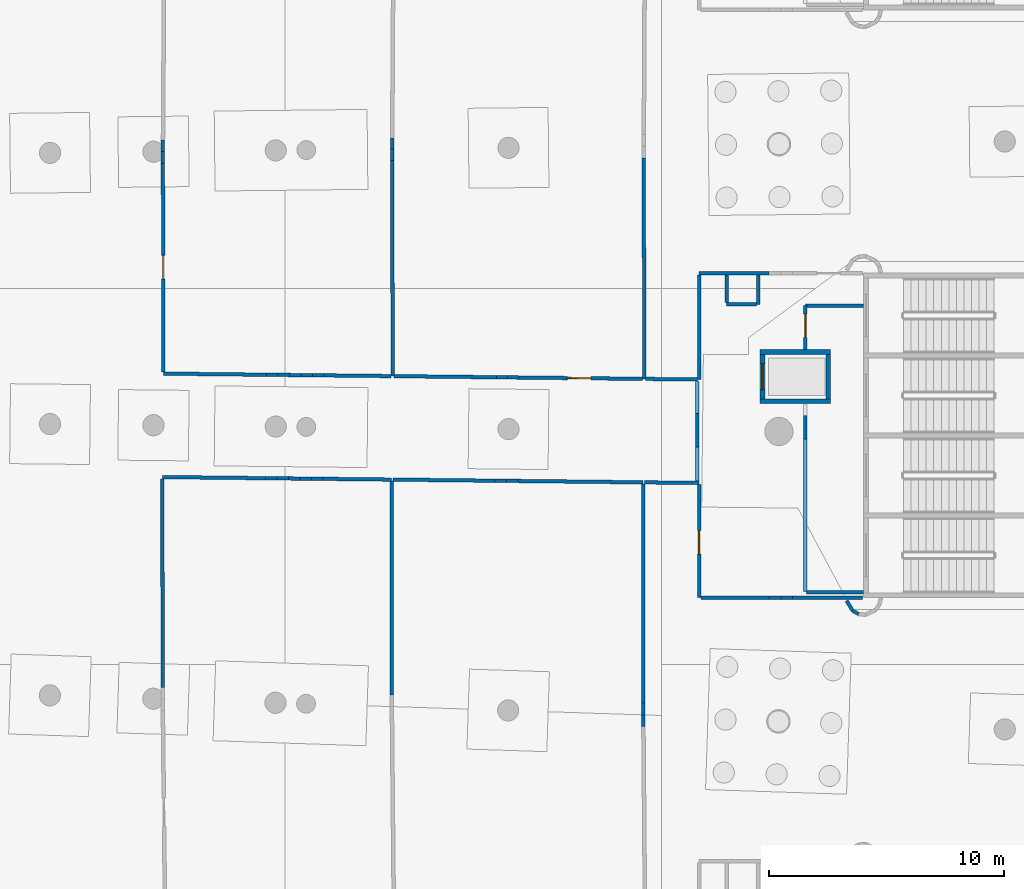
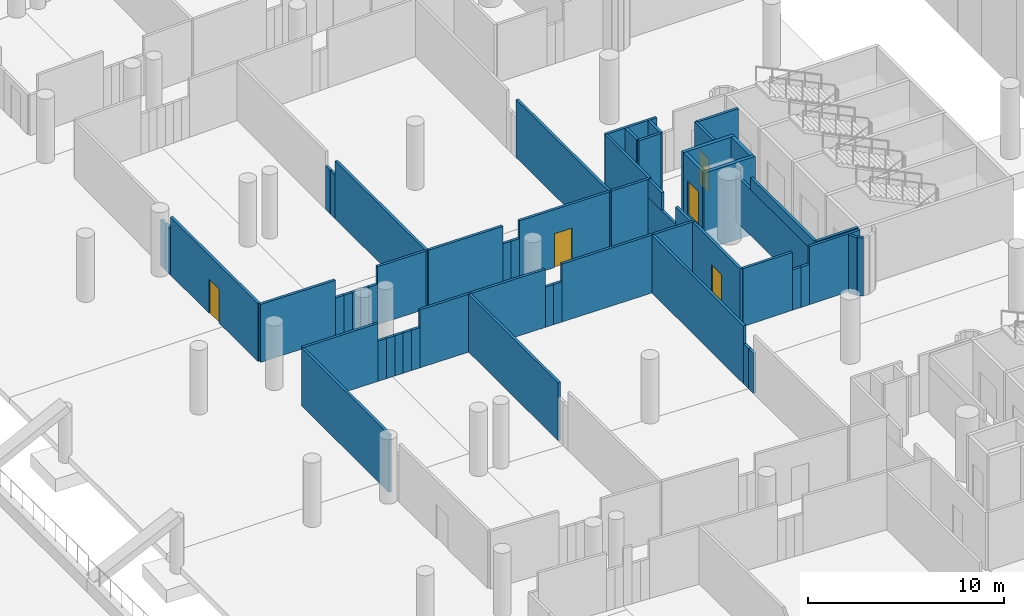
# One storey, part 64 of 142: 60 walls, 5 doors, 5 openings.
"""IFC4 building model written with IfcOpenShell, lengths in metres."""

from ifc_helpers import new_model, si_unit, direction, frame, frame_2d, origin, place, context, subcontext, project, spatial, rectangle, extrude, material, layer, layer_set, type_object, element, fill, save


model = new_model("IFC4")

# Units and contexts
model_context = context("Model", 3, precision=1e-05, world=origin(), true_north=direction((0.0, 1.0)))
body_context = subcontext(model_context, "Body", "Model", "MODEL_VIEW")
ifc_project = project(units=[si_unit("LENGTHUNIT", "METRE"), si_unit("AREAUNIT", "SQUARE_METRE"), si_unit("VOLUMEUNIT", "CUBIC_METRE"), si_unit("PLANEANGLEUNIT", "RADIAN"), si_unit("MASSUNIT", "GRAM", prefix="KILO")], contexts=[model_context])

# Site, building, storey
site_placement = place(None, origin())
site = spatial("IfcSite", under=ifc_project, at=site_placement, CompositionType="ELEMENT")
building_placement = place(site_placement, origin())
building = spatial("IfcBuilding", under=site, at=building_placement, Name="Meseta Stadium", CompositionType="ELEMENT")
storey_placement = place(building_placement, frame((0.0, 0.0, -4.0)))
storey = spatial("IfcBuildingStorey", under=building, at=storey_placement, Name="B1", CompositionType="ELEMENT", Elevation=-4.0)

# Walls
ifc_material_1 = material(Name="Concrete C40/50", Category="concrete")
ifc_layer_1 = layer(ifc_material_1, 0.199951171875)
ifc_layer_set_1 = layer_set([ifc_layer_1], Name="Core shaft wall 200")
wall_type_1 = type_object("IfcWallType", Name="Core shaft wall 200", PredefinedType="SHEAR", material=ifc_layer_set_1)
for number, where, z_axis, x_axis, name in (
    (1, (87.199951171875, -4.800048828125, -1.199951171875), (0.0, 0.0, 1.0), (-1.0, 0.0, 0.0), "Core 03 B1 lift shaft wall left"),
    (2, (87.199951171875, -2.699951171875, -1.199951171875), (0.0, 0.0, 1.0), (-1.0, 0.0, 0.0), "Core 03 B1 lift shaft wall right"),
):
    element("IfcWall", number, at=place(storey_placement, frame(where, z_axis=z_axis, x_axis=x_axis)), inside=storey, type_object=wall_type_1, Name=name, PredefinedType="SHEAR", context=body_context, shape_type="SweptSolid", body=[
        extrude(rectangle(XDim=3.0, YDim=0.199951171875, at=frame_2d((1.5, 0.0))), origin(), (0.0, 0.0, 1.0), 4.800048828125),
    ])
wall_1_placement = place(storey_placement, frame((87.10009765625, -4.699951171875, -1.199951171875), z_axis=(0.0, 0.0, 1.0), x_axis=(0.0, 1.0, 0.0)))
element("IfcWall", 3, at=wall_1_placement, inside=storey, type_object=wall_type_1, Name="Core 03 B1 lift shaft back wall", PredefinedType="SHEAR", context=body_context, shape_type="SweptSolid", body=[
    extrude(rectangle(XDim=1.89990234375, YDim=0.199951171875, at=frame_2d((0.949951171875, 0.0))), origin(), (0.0, 0.0, 1.0), 4.800048828125),
])

# Wall, opening, door
wall_2_placement = place(storey_placement, frame((84.300048828125, -4.699951171875, -1.199951171875), z_axis=(0.0, 0.0, 1.0), x_axis=(0.0, 1.0, 0.0)))
wall_2 = element("IfcWall", 4, at=wall_2_placement, inside=storey, type_object=wall_type_1, Name="Core 03 B1 lift shaft front wall", PredefinedType="SHEAR", context=body_context, shape_type="SweptSolid", body=[
    extrude(rectangle(XDim=1.89990234375, YDim=0.199951171875, at=frame_2d((0.949951171875, 0.0))), origin(), (0.0, 0.0, 1.0), 4.800048828125),
])
opening_1_placement = place(wall_2_placement, frame((0.39990234375, 0.0, 1.199951171875)))
opening_1 = element("IfcOpeningElement", 5, at=opening_1_placement, cuts=wall_2, Name="Opening LD13", PredefinedType="OPENING", context=body_context, shape_type="SweptSolid", body=[
    extrude(rectangle(XDim=1.10009765625, YDim=2.10009765625, at=frame_2d((0.550048828125, 1.050048828125))), frame((0.0, 0.10986328125, 0.0), z_axis=(0.0, -1.0, 0.0), x_axis=(1.0, 0.0, 0.0)), (0.0, 0.0, 1.0), 0.219970703125),
])
ifc_material_2 = material(Name="Steel", Category="steel")
door_type_1 = type_object("IfcDoorType", Name="Lift landing door 1100x2100", OperationType="SLIDING_TO_LEFT", PredefinedType="DOOR", material=ifc_material_2)
door_1_placement = place(opening_1_placement, origin())
door_1 = element("IfcDoor", 6, at=door_1_placement, inside=storey, type_object=door_type_1, Name="Lift landing door LD13", OperationType="SLIDING_TO_LEFT", OverallHeight=2.10009765625, OverallWidth=1.10009765625, PredefinedType="DOOR", context=body_context, shape_type="SweptSolid", body=[
    extrude(rectangle(XDim=1.10009765625, YDim=2.10009765625, at=frame_2d((0.550048828125, 1.050048828125))), frame((0.0, 0.02490234375, 0.0), z_axis=(0.0, -1.0, 0.0), x_axis=(1.0, 0.0, 0.0)), (0.0, 0.0, 1.0), 0.050048828125),
])
fill(opening_1, door_1)

# Walls
ifc_material_3 = material(Name="Masonry blockwork", Category="masonry")
ifc_layer_2 = layer(ifc_material_3, 0.14990234375)
ifc_layer_set_2 = layer_set([ifc_layer_2], Name="Partition 150")
wall_type_2 = type_object("IfcWallType", Name="Partition 150", PredefinedType="PARTITIONING", material=ifc_layer_set_2)
wall_3_placement = place(storey_placement, frame((58.77490234375, -8.02001953125, 0.0), z_axis=(0.0, 0.0, 1.0), x_axis=(0.999939914849, -0.010962056941, 0.0)))
element("IfcWall", 7, at=wall_3_placement, inside=storey, type_object=wall_type_2, Name="Partition B1 B1-cell01-1-0", PredefinedType="PARTITIONING", context=body_context, shape_type="SweptSolid", body=[
    extrude(rectangle(XDim=4.387451171875, YDim=0.14990234375, at=frame_2d((2.19384765625, 0.0))), origin(), (0.0, 0.0, 1.0), 3.60009765625),
])
wall_4_placement = place(storey_placement, frame((63.162109375, -8.068115234375, 0.0), z_axis=(0.0, 0.0, 1.0), x_axis=(0.999939262806, -0.01102137464, 0.0)))
element("IfcWall", 8, at=wall_4_placement, inside=storey, type_object=wall_type_2, Name="Partition B1 B1-cell01-1-0", PredefinedType="PARTITIONING", context=body_context, shape_type="SweptSolid", body=[
    extrude(rectangle(XDim=0.4873046875, YDim=0.14990234375, at=frame_2d((0.24365234375, 0.0))), origin(), (0.0, 0.0, 1.0), 2.5),
])
for number, where, z_axis, x_axis, name in (
    (9, (63.6494140625, -8.073486328125, 0.0), (0.0, 0.0, 1.0), (0.999939323614, -0.011015856344, 0.0), "Partition B1 B1-cell01-1-0"),
    (10, (64.136962890625, -8.078857421875, 0.0), (0.0, 0.0, 1.0), (0.999939323614, -0.011015856344, 0.0), "Partition B1 B1-cell01-1-0"),
):
    element("IfcWall", number, at=place(storey_placement, frame(where, z_axis=z_axis, x_axis=x_axis)), inside=storey, type_object=wall_type_2, Name=name, PredefinedType="PARTITIONING", context=body_context, shape_type="SweptSolid", body=[
        extrude(rectangle(XDim=0.487548828125, YDim=0.14990234375, at=frame_2d((0.24365234375, 0.0))), origin(), (0.0, 0.0, 1.0), 2.5),
    ])
wall_5_placement = place(storey_placement, frame((64.62451171875, -8.084228515625, 0.0), z_axis=(0.0, 0.0, 1.0), x_axis=(0.999939262806, -0.01102137464, 0.0)))
element("IfcWall", 11, at=wall_5_placement, inside=storey, type_object=wall_type_2, Name="Partition B1 B1-cell01-1-0", PredefinedType="PARTITIONING", context=body_context, shape_type="SweptSolid", body=[
    extrude(rectangle(XDim=0.4873046875, YDim=0.14990234375, at=frame_2d((0.24365234375, 0.0))), origin(), (0.0, 0.0, 1.0), 2.5),
])
wall_6_placement = place(storey_placement, frame((65.11181640625, -8.089599609375, 0.0), z_axis=(0.0, 0.0, 1.0), x_axis=(0.999939323614, -0.011015856344, 0.0)))
element("IfcWall", 12, at=wall_6_placement, inside=storey, type_object=wall_type_2, Name="Partition B1 B1-cell01-1-0", PredefinedType="PARTITIONING", context=body_context, shape_type="SweptSolid", body=[
    extrude(rectangle(XDim=0.487548828125, YDim=0.14990234375, at=frame_2d((0.24365234375, 0.0))), origin(), (0.0, 0.0, 1.0), 2.5),
])
wall_7_placement = place(storey_placement, frame((65.599365234375, -8.094970703125, 0.0), z_axis=(0.0, 0.0, 1.0), x_axis=(0.999940219435, -0.010934237792, 0.0)))
element("IfcWall", 13, at=wall_7_placement, inside=storey, type_object=wall_type_2, Name="Partition B1 B1-cell01-1-0", PredefinedType="PARTITIONING", context=body_context, shape_type="SweptSolid", body=[
    extrude(rectangle(XDim=2.925048828125, YDim=0.14990234375, at=frame_2d((1.46240234375, 0.0))), origin(), (0.0, 0.0, 1.0), 3.60009765625),
])
wall_8_placement = place(storey_placement, frame((68.5244140625, -8.201904296875, 0.0), z_axis=(0.0, 0.0, 1.0), x_axis=(0.001127273963, -0.999999364627, 0.0)))
element("IfcWall", 14, at=wall_8_placement, inside=storey, type_object=wall_type_2, Name="Partition B1 B1-cell01-1-0", PredefinedType="PARTITIONING", context=body_context, shape_type="SweptSolid", body=[
    extrude(rectangle(XDim=9.09619140625, YDim=0.14990234375, at=frame_2d((4.548095703125, 0.0))), origin(), (0.0, 0.0, 1.0), 3.60009765625),
])
wall_9_placement = place(storey_placement, frame((58.78955078125, -16.96337890625, 0.0), z_axis=(0.0, 0.0, 1.0), x_axis=(-0.001651752736, 0.999998635856, 0.0)))
element("IfcWall", 15, at=wall_9_placement, inside=storey, type_object=wall_type_2, Name="Partition B1 B1-cell01-1-0", PredefinedType="PARTITIONING", context=body_context, shape_type="SweptSolid", body=[
    extrude(rectangle(XDim=8.868408203125, YDim=0.14990234375, at=frame_2d((4.43408203125, 0.0))), origin(), (0.0, 0.0, 1.0), 3.60009765625),
])
wall_10_placement = place(storey_placement, frame((68.57421875, -8.12744140625, 0.0), z_axis=(0.0, 0.0, 1.0), x_axis=(0.999939687164, -0.010982806315, 0.0)))
element("IfcWall", 16, at=wall_10_placement, inside=storey, type_object=wall_type_2, Name="Partition B1 B1-cell01-2-0", PredefinedType="PARTITIONING", context=body_context, shape_type="SweptSolid", body=[
    extrude(rectangle(XDim=4.35693359375, YDim=0.14990234375, at=frame_2d((2.178466796875, 0.0))), origin(), (0.0, 0.0, 1.0), 3.60009765625),
])
wall_11_placement = place(storey_placement, frame((72.930908203125, -8.17529296875, 0.0), z_axis=(0.0, 0.0, 1.0), x_axis=(0.999938401812, -0.011099215358, 0.0)))
element("IfcWall", 17, at=wall_11_placement, inside=storey, type_object=wall_type_2, Name="Partition B1 B1-cell01-2-0", PredefinedType="PARTITIONING", context=body_context, shape_type="SweptSolid", body=[
    extrude(rectangle(XDim=0.48388671875, YDim=0.14990234375, at=frame_2d((0.241943359375, 0.0))), origin(), (0.0, 0.0, 1.0), 2.5),
])
wall_12_placement = place(storey_placement, frame((73.414794921875, -8.1806640625, 0.0), z_axis=(0.0, 0.0, 1.0), x_axis=(0.999943930506, -0.010589421352, 0.0)))
element("IfcWall", 18, at=wall_12_placement, inside=storey, type_object=wall_type_2, Name="Partition B1 B1-cell01-2-0", PredefinedType="PARTITIONING", context=body_context, shape_type="SweptSolid", body=[
    extrude(rectangle(XDim=0.484130859375, YDim=0.14990234375, at=frame_2d((0.2421875, 0.0))), origin(), (0.0, 0.0, 1.0), 2.5),
])
wall_13_placement = place(storey_placement, frame((73.89892578125, -8.185791015625, 0.0), z_axis=(0.0, 0.0, 1.0), x_axis=(0.999939460098, -0.011003460359, 0.0)))
element("IfcWall", 19, at=wall_13_placement, inside=storey, type_object=wall_type_2, Name="Partition B1 B1-cell01-2-0", PredefinedType="PARTITIONING", context=body_context, shape_type="SweptSolid", body=[
    extrude(rectangle(XDim=5.324951171875, YDim=0.14990234375, at=frame_2d((2.66259765625, 0.0))), origin(), (0.0, 0.0, 1.0), 3.60009765625),
])
wall_14_placement = place(storey_placement, frame((79.2236328125, -8.3193359375, 0.0), z_axis=(0.0, 0.0, 1.0), x_axis=(0.00057636878, -0.9999998339, 0.0)))
element("IfcWall", 20, at=wall_14_placement, inside=storey, type_object=wall_type_2, Name="Partition B1 B1-cell01-2-0", PredefinedType="PARTITIONING", context=body_context, shape_type="SweptSolid", body=[
    extrude(rectangle(XDim=9.31884765625, YDim=0.14990234375, at=frame_2d((4.659423828125, 0.0))), origin(), (0.0, 0.0, 1.0), 3.60009765625),
])
for number, where, z_axis, x_axis, name in (
    (21, (79.22900390625, -17.63818359375, 0.0), (0.0, 0.0, 1.0), (0.0004938271, -0.999999878067, 0.0), "Partition B1 B1-cell01-2-0"),
    (22, (79.229248046875, -18.132568359375, 0.0), (0.0, 0.0, 1.0), (0.008394765914, -0.999964763332, 0.0), "Partition B1 B1-cell01-2-0"),
):
    element("IfcWall", number, at=place(storey_placement, frame(where, z_axis=z_axis, x_axis=x_axis)), inside=storey, type_object=wall_type_2, Name=name, PredefinedType="PARTITIONING", context=body_context, shape_type="SweptSolid", body=[
        extrude(rectangle(XDim=0.494384765625, YDim=0.14990234375, at=frame_2d((0.2470703125, 0.0))), origin(), (0.0, 0.0, 1.0), 2.5),
    ])
wall_15_placement = place(storey_placement, frame((79.273681640625, -8.244873046875, 0.0), z_axis=(0.0, 0.0, 1.0), x_axis=(0.999940447056, -0.010913401878, 0.0)))
element("IfcWall", 23, at=wall_15_placement, inside=storey, type_object=wall_type_2, Name="Partition B1 B1-cell01-3-0", PredefinedType="PARTITIONING", context=body_context, shape_type="SweptSolid", body=[
    extrude(rectangle(XDim=2.32666015625, YDim=0.14990234375, at=frame_2d((1.163330078125, 0.0))), origin(), (0.0, 0.0, 1.0), 3.60009765625),
])

# Wall, opening, door
wall_16_placement = place(storey_placement, frame((81.60009765625, -8.34521484375, 0.0), z_axis=(0.0, 0.0, 1.0), x_axis=(0.0, -1.0, 0.0)))
wall_16 = element("IfcWall", 24, at=wall_16_placement, inside=storey, type_object=wall_type_2, Name="Partition B1 B1-cell01-3-0", PredefinedType="PARTITIONING", context=body_context, shape_type="SweptSolid", body=[
    extrude(rectangle(XDim=4.8046875, YDim=0.14990234375, at=frame_2d((2.40234375, 0.0))), origin(), (0.0, 0.0, 1.0), 3.60009765625),
])
opening_2_placement = place(wall_16_placement, frame((1.949951171875, 0.0, 0.0)))
opening_2 = element("IfcOpeningElement", 25, at=opening_2_placement, cuts=wall_16, Name="Opening D438", PredefinedType="OPENING", context=body_context, shape_type="SweptSolid", body=[
    extrude(rectangle(XDim=1.0, YDim=2.10009765625, at=frame_2d((0.5, 1.050048828125))), frame((0.0, 0.0849609375, 0.0), z_axis=(0.0, -1.0, 0.0), x_axis=(1.0, 0.0, 0.0)), (0.0, 0.0, 1.0), 0.169921875),
])
ifc_material_4 = material(Name="Steel", Category="steel")
door_type_2 = type_object("IfcDoorType", Name="Fire door 1000x2100 EI2 60", OperationType="NOTDEFINED", PredefinedType="DOOR", material=ifc_material_4)
door_2_placement = place(opening_2_placement, origin())
door_2 = element("IfcDoor", 26, at=door_2_placement, inside=storey, type_object=door_type_2, Name="Door D438", OperationType="SINGLE_SWING_LEFT", OverallHeight=2.10009765625, OverallWidth=1.0, PredefinedType="DOOR", context=body_context, shape_type="SweptSolid", body=[
    extrude(rectangle(XDim=1.0, YDim=2.10009765625, at=frame_2d((0.5, 1.050048828125))), frame((0.0, 0.02490234375, 0.0), z_axis=(0.0, -1.0, 0.0), x_axis=(1.0, 0.0, 0.0)), (0.0, 0.0, 1.0), 0.050048828125),
])
fill(opening_2, door_2)

# Walls
wall_17_placement = place(storey_placement, frame((81.675048828125, -13.14990234375, 0.0), z_axis=(0.0, 0.0, 1.0), x_axis=(1.0, 0.0, 0.0)))
element("IfcWall", 27, at=wall_17_placement, inside=storey, type_object=wall_type_2, Name="Partition B1 B1-cell01-3-0", PredefinedType="PARTITIONING", context=body_context, shape_type="SweptSolid", body=[
    extrude(rectangle(XDim=2.907958984375, YDim=0.14990234375, at=frame_2d((1.4541015625, 0.0))), origin(), (0.0, 0.0, 1.0), 3.60009765625),
])
for number, where, z_axis, x_axis, name in (
    (28, (84.5830078125, -13.14990234375, 0.0), (0.0, 0.0, 1.0), (1.0, 0.0, 0.0), "Partition B1 B1-cell01-3-0"),
    (29, (85.080078125, -13.14990234375, 0.0), (0.0, 0.0, 1.0), (1.0, 0.0, 0.0), "Partition B1 B1-cell01-3-0"),
):
    element("IfcWall", number, at=place(storey_placement, frame(where, z_axis=z_axis, x_axis=x_axis)), inside=storey, type_object=wall_type_2, Name=name, PredefinedType="PARTITIONING", context=body_context, shape_type="SweptSolid", body=[
        extrude(rectangle(XDim=0.4970703125, YDim=0.14990234375, at=frame_2d((0.24853515625, 0.0))), origin(), (0.0, 0.0, 1.0), 2.5),
    ])
wall_18_placement = place(storey_placement, frame((85.5771484375, -13.14990234375, 0.0), z_axis=(0.0, 0.0, 1.0), x_axis=(1.0, 0.0, 0.0)))
element("IfcWall", 30, at=wall_18_placement, inside=storey, type_object=wall_type_2, Name="Partition B1 B1-cell01-3-0", PredefinedType="PARTITIONING", context=body_context, shape_type="SweptSolid", body=[
    extrude(rectangle(XDim=2.98291015625, YDim=0.14990234375, at=frame_2d((1.491455078125, 0.0))), origin(), (0.0, 0.0, 1.0), 3.60009765625),
])
wall_19_placement = place(storey_placement, frame((68.55126953125, 6.409912109375, 0.0), z_axis=(0.0, 0.0, 1.0), x_axis=(-0.006066622434, -0.999981597877, 0.0)))
element("IfcWall", 31, at=wall_19_placement, inside=storey, type_object=wall_type_2, Name="Partition B1 B1-cell02-1-0", PredefinedType="PARTITIONING", context=body_context, shape_type="SweptSolid", body=[
    extrude(rectangle(XDim=0.48291015625, YDim=0.14990234375, at=frame_2d((0.241455078125, 0.0))), origin(), (0.0, 0.0, 1.0), 2.699951171875),
])
wall_20_placement = place(storey_placement, frame((68.54833984375, 5.927001953125, 0.0), z_axis=(0.0, 0.0, 1.0), x_axis=(0.002529076383, -0.999996801881, 0.0)))
element("IfcWall", 32, at=wall_20_placement, inside=storey, type_object=wall_type_2, Name="Partition B1 B1-cell02-1-0", PredefinedType="PARTITIONING", context=body_context, shape_type="SweptSolid", body=[
    extrude(rectangle(XDim=0.482666015625, YDim=0.14990234375, at=frame_2d((0.2412109375, 0.0))), origin(), (0.0, 0.0, 1.0), 2.699951171875),
])
wall_21_placement = place(storey_placement, frame((68.549560546875, 5.4443359375, 0.0), z_axis=(0.0, 0.0, 1.0), x_axis=(0.002502188243, -0.999996869522, 0.0)))
element("IfcWall", 33, at=wall_21_placement, inside=storey, type_object=wall_type_2, Name="Partition B1 B1-cell02-1-0", PredefinedType="PARTITIONING", context=body_context, shape_type="SweptSolid", body=[
    extrude(rectangle(XDim=9.171630859375, YDim=0.14990234375, at=frame_2d((4.5859375, 0.0))), origin(), (0.0, 0.0, 1.0), 3.60009765625),
])
wall_22_placement = place(storey_placement, frame((68.49755859375, -3.726318359375, 0.0), z_axis=(0.0, 0.0, 1.0), x_axis=(-0.999939884591, 0.01096481669, 0.0)))
element("IfcWall", 34, at=wall_22_placement, inside=storey, type_object=wall_type_2, Name="Partition B1 B1-cell02-1-0", PredefinedType="PARTITIONING", context=body_context, shape_type="SweptSolid", body=[
    extrude(rectangle(XDim=2.85009765625, YDim=0.14990234375, at=frame_2d((1.425048828125, 0.0))), origin(), (0.0, 0.0, 1.0), 3.60009765625),
])
for number, where, z_axis, x_axis, name in (
    (35, (65.647705078125, -3.695068359375, 0.0), (0.0, 0.0, 1.0), (-0.999939323614, 0.011015856344, 0.0), "Partition B1 B1-cell02-1-0"),
    (36, (65.16015625, -3.689697265625, 0.0), (0.0, 0.0, 1.0), (-0.999939323614, 0.011015856344, 0.0), "Partition B1 B1-cell02-1-0"),
):
    element("IfcWall", number, at=place(storey_placement, frame(where, z_axis=z_axis, x_axis=x_axis)), inside=storey, type_object=wall_type_2, Name=name, PredefinedType="PARTITIONING", context=body_context, shape_type="SweptSolid", body=[
        extrude(rectangle(XDim=0.487548828125, YDim=0.14990234375, at=frame_2d((0.24365234375, 0.0))), origin(), (0.0, 0.0, 1.0), 2.5),
    ])
wall_23_placement = place(storey_placement, frame((64.672607421875, -3.684326171875, 0.0), z_axis=(0.0, 0.0, 1.0), x_axis=(-0.999944658431, 0.010520459833, 0.0)))
element("IfcWall", 37, at=wall_23_placement, inside=storey, type_object=wall_type_2, Name="Partition B1 B1-cell02-1-0", PredefinedType="PARTITIONING", context=body_context, shape_type="SweptSolid", body=[
    extrude(rectangle(XDim=0.4873046875, YDim=0.14990234375, at=frame_2d((0.24365234375, 0.0))), origin(), (0.0, 0.0, 1.0), 2.5),
])
for number, where, z_axis, x_axis, name in (
    (38, (64.185302734375, -3.67919921875, 0.0), (0.0, 0.0, 1.0), (-0.999933682775, 0.01151651212, 0.0), "Partition B1 B1-cell02-1-0"),
    (39, (63.69775390625, -3.673583984375, 0.0), (0.0, 0.0, 1.0), (-0.999944713837, 0.010515192284, 0.0), "Partition B1 B1-cell02-1-0"),
):
    element("IfcWall", number, at=place(storey_placement, frame(where, z_axis=z_axis, x_axis=x_axis)), inside=storey, type_object=wall_type_2, Name=name, PredefinedType="PARTITIONING", context=body_context, shape_type="SweptSolid", body=[
        extrude(rectangle(XDim=0.487548828125, YDim=0.14990234375, at=frame_2d((0.24365234375, 0.0))), origin(), (0.0, 0.0, 1.0), 2.5),
    ])
wall_24_placement = place(storey_placement, frame((63.210205078125, -3.66845703125, 0.0), z_axis=(0.0, 0.0, 1.0), x_axis=(-0.999939914849, 0.010962056941, 0.0)))
element("IfcWall", 40, at=wall_24_placement, inside=storey, type_object=wall_type_2, Name="Partition B1 B1-cell02-1-0", PredefinedType="PARTITIONING", context=body_context, shape_type="SweptSolid", body=[
    extrude(rectangle(XDim=4.387451171875, YDim=0.14990234375, at=frame_2d((2.19384765625, 0.0))), origin(), (0.0, 0.0, 1.0), 3.60009765625),
])

# Wall, opening, door
wall_25_placement = place(storey_placement, frame((58.822998046875, -3.54541015625, 0.0), z_axis=(0.0, 0.0, 1.0), x_axis=(-0.002560141365, 0.999996722833, 0.0)))
wall_25 = element("IfcWall", 41, at=wall_25_placement, inside=storey, type_object=wall_type_2, Name="Partition B1 B1-cell02-1-0", PredefinedType="PARTITIONING", context=body_context, shape_type="SweptSolid", body=[
    extrude(rectangle(XDim=8.86865234375, YDim=0.14990234375, at=frame_2d((4.434326171875, 0.0))), origin(), (0.0, 0.0, 1.0), 3.60009765625),
])
opening_3_placement = place(wall_25_placement, frame((3.949951171875, 0.0, 0.0)))
opening_3 = element("IfcOpeningElement", 42, at=opening_3_placement, cuts=wall_25, Name="Opening D439", PredefinedType="OPENING", context=body_context, shape_type="SweptSolid", body=[
    extrude(rectangle(XDim=1.0, YDim=2.10009765625, at=frame_2d((0.5, 1.050048828125))), frame((0.0, 0.0849609375, 0.0), z_axis=(0.0, -1.0, 0.0), x_axis=(1.0, 0.0, 0.0)), (0.0, 0.0, 1.0), 0.169921875),
])
door_3_placement = place(opening_3_placement, origin())
door_3 = element("IfcDoor", 43, at=door_3_placement, inside=storey, type_object=door_type_2, Name="Door D439", OperationType="SINGLE_SWING_LEFT", OverallHeight=2.10009765625, OverallWidth=1.0, PredefinedType="DOOR", context=body_context, shape_type="SweptSolid", body=[
    extrude(rectangle(XDim=1.0, YDim=2.10009765625, at=frame_2d((0.5, 1.050048828125))), frame((0.0, 0.02490234375, 0.0), z_axis=(0.0, -1.0, 0.0), x_axis=(1.0, 0.0, 0.0)), (0.0, 0.0, 1.0), 0.050048828125),
])
fill(opening_3, door_3)

# Walls
wall_26_placement = place(storey_placement, frame((58.80029296875, 5.3232421875, 0.0), z_axis=(0.0, 0.0, 1.0), x_axis=(-0.002946942017, 0.999995657757, 0.0)))
element("IfcWall", 44, at=wall_26_placement, inside=storey, type_object=wall_type_2, Name="Partition B1 B1-cell02-1-0", PredefinedType="PARTITIONING", context=body_context, shape_type="SweptSolid", body=[
    extrude(rectangle(XDim=0.4970703125, YDim=0.14990234375, at=frame_2d((0.24853515625, 0.0))), origin(), (0.0, 0.0, 1.0), 2.85009765625),
])
wall_27_placement = place(storey_placement, frame((58.798828125, 5.8203125, 0.0), z_axis=(0.0, 0.0, 1.0), x_axis=(0.006879444083, 0.999976336345, 0.0)))
element("IfcWall", 45, at=wall_27_placement, inside=storey, type_object=wall_type_2, Name="Partition B1 B1-cell02-1-0", PredefinedType="PARTITIONING", context=body_context, shape_type="SweptSolid", body=[
    extrude(rectangle(XDim=0.496826171875, YDim=0.14990234375, at=frame_2d((0.24853515625, 0.0))), origin(), (0.0, 0.0, 1.0), 2.85009765625),
])
wall_28_placement = place(storey_placement, frame((79.248779296875, 5.5498046875, 0.0), z_axis=(0.0, 0.0, 1.0), x_axis=(0.002442883638, -0.999997016155, 0.0)))
element("IfcWall", 46, at=wall_28_placement, inside=storey, type_object=wall_type_2, Name="Partition B1 B1-cell02-2-0", PredefinedType="PARTITIONING", context=body_context, shape_type="SweptSolid", body=[
    extrude(rectangle(XDim=9.394287109375, YDim=0.14990234375, at=frame_2d((4.697265625, 0.0))), origin(), (0.0, 0.0, 1.0), 3.60009765625),
])

# Wall, opening, door
wall_29_placement = place(storey_placement, frame((79.19677734375, -3.84375, 0.0), z_axis=(0.0, 0.0, 1.0), x_axis=(-0.999939777793, 0.010974551809, 0.0)))
wall_29 = element("IfcWall", 47, at=wall_29_placement, inside=storey, type_object=wall_type_2, Name="Partition B1 B1-cell02-2-0", PredefinedType="PARTITIONING", context=body_context, shape_type="SweptSolid", body=[
    extrude(rectangle(XDim=5.25, YDim=0.14990234375, at=frame_2d((2.625, 0.0))), origin(), (0.0, 0.0, 1.0), 3.60009765625),
])
opening_4_placement = place(wall_29_placement, frame((2.199951171875, 0.0, 0.0)))
opening_4 = element("IfcOpeningElement", 48, at=opening_4_placement, cuts=wall_29, Name="Opening D440", PredefinedType="OPENING", context=body_context, shape_type="SweptSolid", body=[
    extrude(rectangle(XDim=1.0, YDim=2.10009765625, at=frame_2d((0.5, 1.050048828125))), frame((0.0, 0.0849609375, 0.0), z_axis=(0.0, -1.0, 0.0), x_axis=(1.0, 0.0, 0.0)), (0.0, 0.0, 1.0), 0.169921875),
])
ifc_material_5 = material(Name="Steel", Category="steel")
door_type_3 = type_object("IfcDoorType", Name="Fire door 1000x2100 EI2 120", OperationType="NOTDEFINED", PredefinedType="DOOR", material=ifc_material_5)
door_4_placement = place(opening_4_placement, origin())
door_4 = element("IfcDoor", 49, at=door_4_placement, inside=storey, type_object=door_type_3, Name="Door D440", OperationType="SINGLE_SWING_RIGHT", OverallHeight=2.10009765625, OverallWidth=1.0, PredefinedType="DOOR", context=body_context, shape_type="SweptSolid", body=[
    extrude(rectangle(XDim=1.0, YDim=2.10009765625, at=frame_2d((0.5, 1.050048828125))), frame((0.0, 0.02490234375, 0.0), z_axis=(0.0, -1.0, 0.0), x_axis=(1.0, 0.0, 0.0)), (0.0, 0.0, 1.0), 0.050048828125),
])
fill(opening_4, door_4)

# Walls
wall_30_placement = place(storey_placement, frame((73.947021484375, -3.7861328125, 0.0), z_axis=(0.0, 0.0, 1.0), x_axis=(-0.999938401812, 0.011099215358, 0.0)))
element("IfcWall", 50, at=wall_30_placement, inside=storey, type_object=wall_type_2, Name="Partition B1 B1-cell02-2-0", PredefinedType="PARTITIONING", context=body_context, shape_type="SweptSolid", body=[
    extrude(rectangle(XDim=0.48388671875, YDim=0.14990234375, at=frame_2d((0.241943359375, 0.0))), origin(), (0.0, 0.0, 1.0), 2.5),
])
wall_31_placement = place(storey_placement, frame((73.463134765625, -3.78076171875, 0.0), z_axis=(0.0, 0.0, 1.0), x_axis=(-0.999938463917, 0.011093618863, 0.0)))
element("IfcWall", 51, at=wall_31_placement, inside=storey, type_object=wall_type_2, Name="Partition B1 B1-cell02-2-0", PredefinedType="PARTITIONING", context=body_context, shape_type="SweptSolid", body=[
    extrude(rectangle(XDim=0.484130859375, YDim=0.14990234375, at=frame_2d((0.2421875, 0.0))), origin(), (0.0, 0.0, 1.0), 2.5),
])
wall_32_placement = place(storey_placement, frame((72.97900390625, -3.775390625, 0.0), z_axis=(0.0, 0.0, 1.0), x_axis=(-0.999940300976, 0.010926778296, 0.0)))
element("IfcWall", 52, at=wall_32_placement, inside=storey, type_object=wall_type_2, Name="Partition B1 B1-cell02-2-0", PredefinedType="PARTITIONING", context=body_context, shape_type="SweptSolid", body=[
    extrude(rectangle(XDim=4.35693359375, YDim=0.14990234375, at=frame_2d((2.178466796875, 0.0))), origin(), (0.0, 0.0, 1.0), 3.60009765625),
])
wall_33_placement = place(storey_placement, frame((84.5830078125, 0.64990234375, 0.0), z_axis=(0.0, 0.0, 1.0), x_axis=(-1.0, 0.0, 0.0)))
element("IfcWall", 53, at=wall_33_placement, inside=storey, type_object=wall_type_2, Name="Partition B1 B1-cell02-3-0", PredefinedType="PARTITIONING", context=body_context, shape_type="SweptSolid", body=[
    extrude(rectangle(XDim=2.98291015625, YDim=0.14990234375, at=frame_2d((1.491455078125, 0.0))), origin(), (0.0, 0.0, 1.0), 3.60009765625),
])
wall_34_placement = place(storey_placement, frame((81.60009765625, 0.574951171875, 0.0), z_axis=(0.0, 0.0, 1.0), x_axis=(0.0, -1.0, 0.0)))
element("IfcWall", 54, at=wall_34_placement, inside=storey, type_object=wall_type_2, Name="Partition B1 B1-cell02-3-0", PredefinedType="PARTITIONING", context=body_context, shape_type="SweptSolid", body=[
    extrude(rectangle(XDim=4.445068359375, YDim=0.14990234375, at=frame_2d((2.22265625, 0.0))), origin(), (0.0, 0.0, 1.0), 3.60009765625),
])
wall_35_placement = place(storey_placement, frame((81.52490234375, -3.869140625, 0.0), z_axis=(0.0, 0.0, 1.0), x_axis=(-0.999941036186, 0.010859288735, 0.0)))
element("IfcWall", 55, at=wall_35_placement, inside=storey, type_object=wall_type_2, Name="Partition B1 B1-cell02-3-0", PredefinedType="PARTITIONING", context=body_context, shape_type="SweptSolid", body=[
    extrude(rectangle(XDim=2.203369140625, YDim=0.14990234375, at=frame_2d((1.1015625, 0.0))), origin(), (0.0, 0.0, 1.0), 3.60009765625),
])
wall_36_placement = place(storey_placement, frame((84.125, -0.675048828125, 0.0), z_axis=(0.0, 0.0, 1.0), x_axis=(0.0, 1.0, 0.0)))
element("IfcWall", 56, at=wall_36_placement, inside=storey, type_object=wall_type_2, Name="Pressurisation shaft wall B1 core 03", PredefinedType="PARTITIONING", context=body_context, shape_type="SweptSolid", body=[
    extrude(rectangle(XDim=1.2490234375, YDim=0.14990234375, at=frame_2d((0.62451171875, 0.0))), origin(), (0.0, 0.0, 1.0), 3.60009765625),
])
wall_37_placement = place(storey_placement, frame((82.77490234375, 0.573974609375, 0.0), z_axis=(0.0, 0.0, 1.0), x_axis=(0.0, -1.0, 0.0)))
element("IfcWall", 57, at=wall_37_placement, inside=storey, type_object=wall_type_2, Name="Pressurisation shaft wall B1 core 03", PredefinedType="PARTITIONING", context=body_context, shape_type="SweptSolid", body=[
    extrude(rectangle(XDim=1.174072265625, YDim=0.14990234375, at=frame_2d((0.5869140625, 0.0))), origin(), (0.0, 0.0, 1.0), 3.60009765625),
])
wall_38_placement = place(storey_placement, frame((82.77490234375, -0.675048828125, 0.0), z_axis=(0.0, 0.0, 1.0), x_axis=(1.0, 0.0, 0.0)))
element("IfcWall", 58, at=wall_38_placement, inside=storey, type_object=wall_type_2, Name="Pressurisation shaft wall B1 core 03", PredefinedType="PARTITIONING", context=body_context, shape_type="SweptSolid", body=[
    extrude(rectangle(XDim=1.275146484375, YDim=0.14990234375, at=frame_2d((0.6376953125, 0.0))), origin(), (0.0, 0.0, 1.0), 3.60009765625),
])
wall_39_placement = place(storey_placement, frame((86.159912109375, -12.925048828125, 0.0), z_axis=(0.0, 0.0, 1.0), x_axis=(1.0, 0.0, 0.0)))
element("IfcWall", 59, at=wall_39_placement, inside=storey, type_object=wall_type_2, Name="Stair vestibule wall B1 core 03", PredefinedType="PARTITIONING", context=body_context, shape_type="SweptSolid", body=[
    extrude(rectangle(XDim=2.43017578125, YDim=0.14990234375, at=frame_2d((1.215087890625, 0.0))), origin(), (0.0, 0.0, 1.0), 3.60009765625),
])
wall_40_placement = place(storey_placement, frame((88.590087890625, -0.72509765625, 0.0), z_axis=(0.0, 0.0, 1.0), x_axis=(-1.0, 0.0, 0.0)))
element("IfcWall", 60, at=wall_40_placement, inside=storey, type_object=wall_type_2, Name="Stair vestibule wall B1 core 03", PredefinedType="PARTITIONING", context=body_context, shape_type="SweptSolid", body=[
    extrude(rectangle(XDim=2.465087890625, YDim=0.14990234375, at=frame_2d((1.232421875, 0.0))), origin(), (0.0, 0.0, 1.0), 3.60009765625),
])

# Wall, opening, door
wall_41_placement = place(storey_placement, frame((86.125, -0.72509765625, 0.0), z_axis=(0.0, 0.0, 1.0), x_axis=(0.0, -1.0, 0.0)))
wall_41 = element("IfcWall", 61, at=wall_41_placement, inside=storey, type_object=wall_type_2, Name="Stair vestibule wall B1 core 03", PredefinedType="PARTITIONING", context=body_context, shape_type="SweptSolid", body=[
    extrude(rectangle(XDim=1.864990234375, YDim=0.14990234375, at=frame_2d((0.9326171875, 0.0))), origin(), (0.0, 0.0, 1.0), 3.60009765625),
])
opening_5_placement = place(wall_41_placement, frame((0.35009765625, 0.0, 0.0)))
opening_5 = element("IfcOpeningElement", 62, at=opening_5_placement, cuts=wall_41, Name="Opening D716", PredefinedType="OPENING", context=body_context, shape_type="SweptSolid", body=[
    extrude(rectangle(XDim=1.0, YDim=2.10009765625, at=frame_2d((0.5, 1.050048828125))), frame((0.0, 0.0849609375, 0.0), z_axis=(0.0, -1.0, 0.0), x_axis=(1.0, 0.0, 0.0)), (0.0, 0.0, 1.0), 0.169921875),
])
door_5_placement = place(opening_5_placement, origin())
door_5 = element("IfcDoor", 63, at=door_5_placement, inside=storey, type_object=door_type_2, Name="Stair vestibule door B1 core 03", OperationType="SINGLE_SWING_LEFT", OverallHeight=2.10009765625, OverallWidth=1.0, PredefinedType="DOOR", context=body_context, shape_type="SweptSolid", body=[
    extrude(rectangle(XDim=1.0, YDim=2.10009765625, at=frame_2d((0.5, 1.050048828125))), frame((0.0, 0.02490234375, 0.0), z_axis=(0.0, -1.0, 0.0), x_axis=(1.0, 0.0, 0.0)), (0.0, 0.0, 1.0), 0.050048828125),
])
fill(opening_5, door_5)

# Walls
wall_42_placement = place(storey_placement, frame((86.125, -4.909912109375, 0.0), z_axis=(0.0, 0.0, 1.0), x_axis=(0.0, -1.0, 0.0)))
element("IfcWall", 64, at=wall_42_placement, inside=storey, type_object=wall_type_2, Name="Stair vestibule wall B1 core 03", PredefinedType="PARTITIONING", context=body_context, shape_type="SweptSolid", body=[
    extrude(rectangle(XDim=7.97998046875, YDim=0.14990234375, at=frame_2d((3.989990234375, 0.0))), origin(), (0.0, 0.0, 1.0), 2.85009765625),
])
wall_43_placement = place(storey_placement, frame((86.125, -6.40625, 2.85009765625), z_axis=(0.0, 0.0, 1.0), x_axis=(0.0, -1.0, 0.0)))
element("IfcWall", 65, at=wall_43_placement, inside=storey, type_object=wall_type_2, Name="Stair vestibule wall B1 core 03", PredefinedType="PARTITIONING", context=body_context, shape_type="SweptSolid", body=[
    extrude(rectangle(XDim=6.483642578125, YDim=0.14990234375, at=frame_2d((3.24169921875, 0.0))), origin(), (0.0, 0.0, 1.0), 0.75),
])
wall_44_placement = place(storey_placement, frame((81.52490234375, -3.9453125, 0.0), z_axis=(0.0, 0.0, 1.0), x_axis=(0.0, -1.0, 0.0)))
element("IfcWall", 66, at=wall_44_placement, inside=storey, type_object=wall_type_2, Name="Stair vestibule wall B1 core 03", PredefinedType="PARTITIONING", context=body_context, shape_type="SweptSolid", body=[
    extrude(rectangle(XDim=4.239990234375, YDim=0.14990234375, at=frame_2d((2.1201171875, 0.0))), origin(), (0.0, 0.0, 1.0), 2.5),
])
wall_45_placement = place(storey_placement, frame((81.52490234375, -3.9453125, 2.5), z_axis=(0.0, 0.0, 1.0), x_axis=(0.0, -1.0, 0.0)))
element("IfcWall", 67, at=wall_45_placement, inside=storey, type_object=wall_type_2, Name="Stair vestibule wall B1 core 03", PredefinedType="PARTITIONING", context=body_context, shape_type="SweptSolid", body=[
    extrude(rectangle(XDim=1.369873046875, YDim=0.14990234375, at=frame_2d((0.68505859375, 0.0))), origin(), (0.0, 0.0, 1.0), 1.10009765625),
])
wall_46_placement = place(storey_placement, frame((81.52490234375, -6.750244140625, 2.5), z_axis=(0.0, 0.0, 1.0), x_axis=(0.0, -1.0, 0.0)))
element("IfcWall", 68, at=wall_46_placement, inside=storey, type_object=wall_type_2, Name="Stair vestibule wall B1 core 03", PredefinedType="PARTITIONING", context=body_context, shape_type="SweptSolid", body=[
    extrude(rectangle(XDim=1.43505859375, YDim=0.14990234375, at=frame_2d((0.717529296875, 0.0))), origin(), (0.0, 0.0, 1.0), 1.10009765625),
])
wall_47_placement = place(storey_placement, frame((87.877197265625, -13.279052734375, 0.0), z_axis=(0.0, 0.0, 1.0), x_axis=(0.513060623194, -0.858352373404, 0.0)))
element("IfcWall", 69, at=wall_47_placement, inside=storey, type_object=wall_type_2, Name="Stair vestibule wall B1 core 03", PredefinedType="PARTITIONING", context=body_context, shape_type="SweptSolid", body=[
    extrude(rectangle(XDim=0.50048828125, YDim=0.14990234375, at=frame_2d((0.250244140625, 0.0))), origin(), (0.0, 0.0, 1.0), 3.60009765625),
])
wall_48_placement = place(storey_placement, frame((88.134033203125, -13.708740234375, 0.0), z_axis=(0.0, 0.0, 1.0), x_axis=(0.881768319, -0.471682765858, 0.0)))
element("IfcWall", 70, at=wall_48_placement, inside=storey, type_object=wall_type_2, Name="Stair vestibule wall B1 core 03", PredefinedType="PARTITIONING", context=body_context, shape_type="SweptSolid", body=[
    extrude(rectangle(XDim=0.289306640625, YDim=0.14990234375, at=frame_2d((0.14453125, 0.0))), origin(), (0.0, 0.0, 1.0), 3.60009765625),
])

save(model, "model.ifc")
